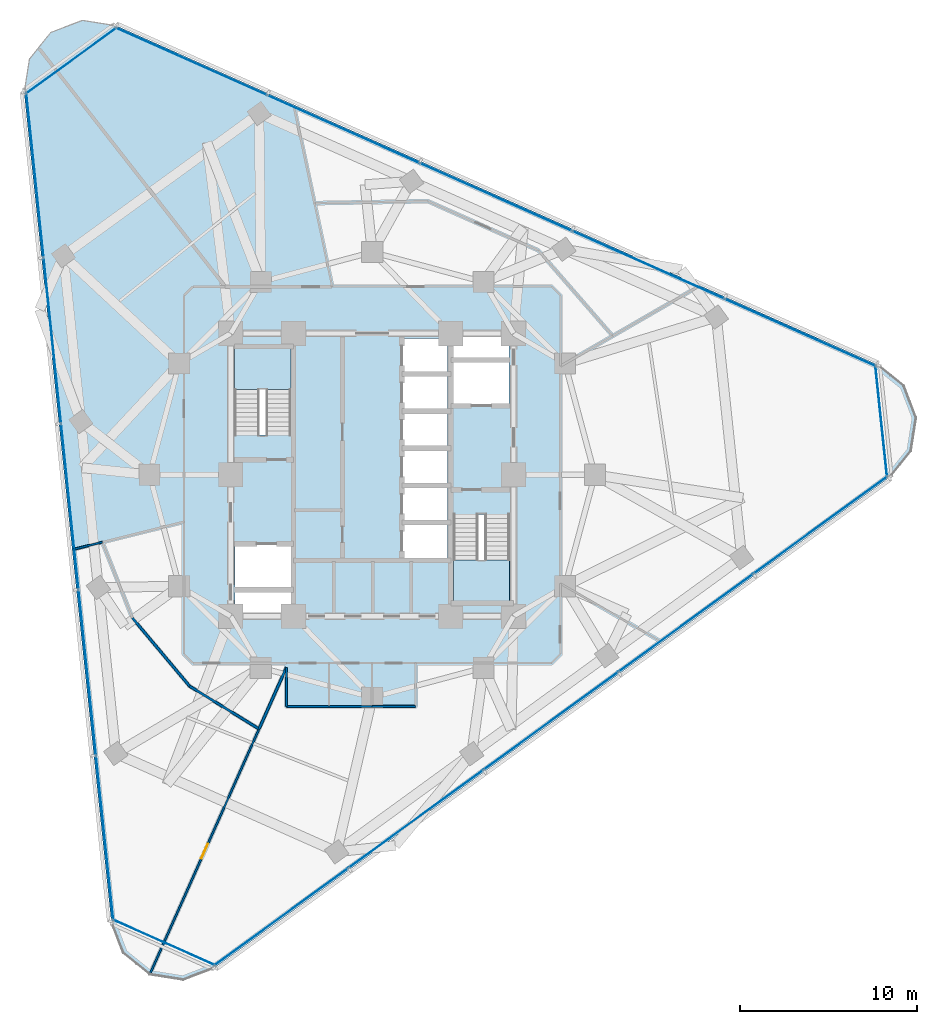
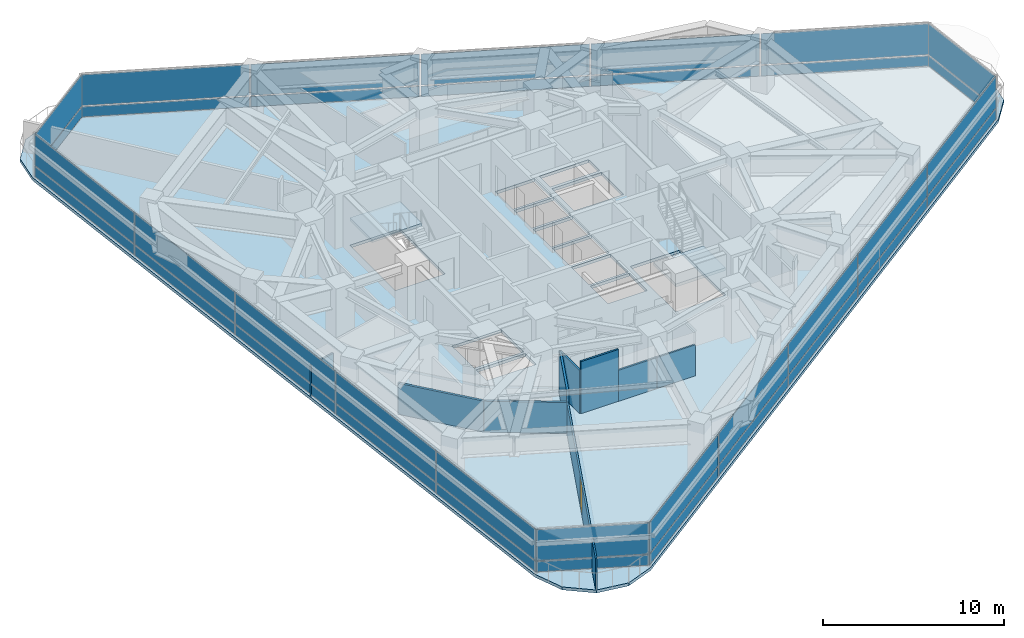
# One storey, part 7 of 14: 36 plates, 9 walls, 3 slabs, 1 door, 1 opening, 8 elements without a shape of their own.
"""IFC4 building model written with IfcOpenShell, lengths in metres."""

from ifc_helpers import new_model, si_unit, direction, frame, frame_2d, origin, origin_2d, place, context, subcontext, project, spatial, polyline, rectangle, outline, extrude, material, layer, layer_set, type_object, element, fill, aggregate, save


model = new_model("IFC4")

# Units and contexts
model_context = context("Model", 3, precision=1e-05, world=origin(), true_north=direction((0.0, 1.0)))
body_context = subcontext(model_context, "Body", "Model", "MODEL_VIEW")
ifc_project = project(units=[si_unit("LENGTHUNIT", "METRE"), si_unit("AREAUNIT", "SQUARE_METRE"), si_unit("VOLUMEUNIT", "CUBIC_METRE"), si_unit("PLANEANGLEUNIT", "RADIAN"), si_unit("MASSUNIT", "GRAM", prefix="KILO")], contexts=[model_context])

# Site, building, storey
site_placement = place(None, origin())
site = spatial("IfcSite", under=ifc_project, at=site_placement, CompositionType="ELEMENT")
building_placement = place(site_placement, origin())
building = spatial("IfcBuilding", under=site, at=building_placement, Name="Terralouvre Media Tower", CompositionType="ELEMENT")
storey_placement = place(building_placement, frame((0.0, 0.0, 180.5)))
storey = spatial("IfcBuildingStorey", under=building, at=storey_placement, Name="L46", CompositionType="ELEMENT", Elevation=180.5)

# Slab
ifc_material_1 = material(Name="Concrete C40/50", Category="concrete")
ifc_layer_1 = layer(ifc_material_1, 0.199951171875, Name="Composite Tower Floor Slab S-TYP200")
ifc_layer_set_1 = layer_set([ifc_layer_1], Name="Concrete C40/50")
slab_type_1 = type_object("IfcSlabType", Name="Composite Tower Floor Slab S-TYP200", PredefinedType="FLOOR", material=ifc_layer_set_1)
slab_1_placement = place(storey_placement, frame((0.0, 0.0, -0.199951171875), z_axis=(0.0, 0.0, 1.0), x_axis=(0.809016994375, 0.587785252292, 0.0)))
element("IfcSlab", 1, at=slab_1_placement, inside=storey, type_object=slab_type_1, Name="L46 Structural Floor Slab", PredefinedType="FLOOR", context=body_context, shape_type="SweptSolid", body=[
    extrude(outline(polyline([(-26.80419921875, -11.775390625), (-27.300048828125, -13.62548828125), (-26.80419921875, -15.475341796875), (-25.449951171875, -16.829833984375), (-23.60009765625, -17.325439453125), (23.60009765625, -17.325439453125), (25.449951171875, -16.829833984375), (26.80419921875, -15.4755859375), (27.300048828125, -13.62548828125), (26.80419921875, -11.775390625), (3.204345703125, 29.100830078125), (1.85009765625, 30.455322265625), (0.0, 30.950927734375), (-1.85009765625, 30.455322265625), (-3.204345703125, 29.100830078125), (-26.80419921875, -11.775390625)]), holes=[polyline([(-7.600830078125, -2.6357421875), (-8.30615234375, -3.6064453125), (-10.8544921875, -1.7548828125), (-10.149169921875, -0.7841796875), (-7.600830078125, -2.6357421875)]), polyline([(-7.4833984375, -2.473876953125), (-10.03173828125, -0.622314453125), (-8.591552734375, 1.359619140625), (-6.043212890625, -0.49169921875), (-7.4833984375, -2.473876953125)]), polyline([(4.366943359375, -1.2197265625), (2.344482421875, 0.24951171875), (3.48486328125, 1.819091796875), (5.50732421875, 0.349609375), (4.366943359375, -1.2197265625)]), polyline([(6.74169921875, 2.048583984375), (5.601318359375, 0.47900390625), (3.578857421875, 1.948486328125), (4.71923828125, 3.51806640625), (6.74169921875, 2.048583984375)]), polyline([(-2.40185546875, 4.52001953125), (-4.974609375, 6.38916015625), (-2.02685546875, 10.446533203125), (0.5458984375, 8.577392578125), (-2.40185546875, 4.52001953125)]), polyline([(6.835693359375, 2.177978515625), (4.813232421875, 3.6474609375), (5.953369140625, 5.217041015625), (7.97607421875, 3.74755859375), (6.835693359375, 2.177978515625)]), polyline([(-0.5458984375, -8.577392578125), (2.40185546875, -4.52001953125), (4.974609375, -6.38916015625), (2.02685546875, -10.446533203125), (-0.5458984375, -8.577392578125)]), polyline([(0.6640625, -6.316650390625), (-1.358642578125, -4.84716796875), (-0.21826171875, -3.277587890625), (1.80419921875, -4.7470703125), (0.6640625, -6.316650390625)]), polyline([(1.8984375, -4.61767578125), (-0.124267578125, -3.148193359375), (1.01611328125, -1.578857421875), (3.03857421875, -3.04833984375), (1.8984375, -4.61767578125)]), polyline([(4.27294921875, -1.349365234375), (3.132568359375, -2.918701171875), (1.110107421875, -1.44921875), (2.25048828125, 0.1201171875), (4.27294921875, -1.349365234375)]), polyline([(8.591552734375, -1.359619140625), (6.043212890625, 0.49169921875), (7.4833984375, 2.473876953125), (10.03173828125, 0.622314453125), (8.591552734375, -1.359619140625)]), polyline([(10.149169921875, 0.7841796875), (7.600830078125, 2.6357421875), (8.30615234375, 3.6064453125), (10.8544921875, 1.7548828125), (10.149169921875, 0.7841796875)])]), origin(), (0.0, 0.0, 1.0), 0.199951171875),
])

# Stair, slab
ifc_material_2 = material(Name="Concrete C45/55", Category="concrete")
stair_type_1 = type_object("IfcStairType", Name="Dogleg Stair Assembly ST-01", PredefinedType="HALF_TURN_STAIR", material=ifc_material_2)
stair_1_placement = place(storey_placement, origin())
stair_1 = element("IfcStair", 2, at=stair_1_placement, inside=storey, type_object=stair_type_1, Name="L46 Core Pressurised Exit Stair ST-01", PredefinedType="HALF_TURN_STAIR")
ifc_material_3 = material(Name="Concrete C45/55", Category="concrete")
ifc_layer_2 = layer(ifc_material_3, 0.199951171875, Name="Reinforced Concrete Stair Half-Landing SL-LD1")
ifc_layer_set_2 = layer_set([ifc_layer_2], Name="Concrete C45/55")
slab_type_2 = type_object("IfcSlabType", Name="Reinforced Concrete Stair Half-Landing SL-LD1", PredefinedType="LANDING", material=ifc_layer_set_2)
slab_2_placement = place(storey_placement, frame((0.0, 0.0, 1.64990234375)))
slab_2 = element("IfcSlab", 3, at=slab_2_placement, type_object=slab_type_2, Name="ST-01 landing 1", PredefinedType="LANDING", context=body_context, shape_type="SweptSolid", body=[
    extrude(outline(polyline([(-4.60009765625, 4.820068359375), (-4.60009765625, 7.260009765625), (-7.780029296875, 7.260009765625), (-7.780029296875, 4.820068359375), (-4.60009765625, 4.820068359375)])), origin(), (0.0, 0.0, 1.0), 0.2001953125),
])
aggregate(stair_1, [slab_2])

ifc_material_4 = material(Name="Concrete C45/55", Category="concrete")
stair_type_2 = type_object("IfcStairType", Name="Dogleg Stair Assembly ST-02", PredefinedType="HALF_TURN_STAIR", material=ifc_material_4)
stair_2_placement = place(storey_placement, origin())
stair_2 = element("IfcStair", 4, at=stair_2_placement, inside=storey, type_object=stair_type_2, Name="L46 Core Pressurised Exit Stair ST-02", PredefinedType="HALF_TURN_STAIR")
slab_3_placement = place(storey_placement, frame((0.0, 0.0, 1.64990234375)))
slab_3 = element("IfcSlab", 5, at=slab_3_placement, type_object=slab_type_2, Name="ST-02 landing 1", PredefinedType="LANDING", context=body_context, shape_type="SweptSolid", body=[
    extrude(outline(polyline([(4.60009765625, -4.820068359375), (4.60009765625, -7.260009765625), (7.780029296875, -7.260009765625), (7.780029296875, -4.820068359375), (4.60009765625, -4.820068359375)])), origin(), (0.0, 0.0, 1.0), 0.2001953125),
])
aggregate(stair_2, [slab_3])

# Curtain wall, plates
ifc_material_5 = material(Name="Low-iron laminated double glazing with solar-control coating", Category="glass")
ifc_layer_3 = layer(ifc_material_5, 0.1650390625, Name="Rounded Wind-Corner Curved Glazing CW-04")
ifc_layer_set_3 = layer_set([ifc_layer_3], Name="Low-iron laminated double glazing with solar-control coating")
curtain_wall_type_1 = type_object("IfcCurtainWallType", Name="Rounded Wind-Corner Curved Glazing CW-04", PredefinedType="NOTDEFINED", material=ifc_layer_set_3)
curtain_wall_1_placement = place(storey_placement, origin())
curtain_wall_1 = element("IfcCurtainWall", 6, at=curtain_wall_1_placement, inside=storey, type_object=curtain_wall_type_1, Name="L46 Rounded Wind-Corner Curtain Wall C0", PredefinedType="NOTDEFINED")
ifc_material_6 = material(Name="Low-iron laminated double glazing with solar-control coating", Category="glass")
ifc_layer_4 = layer(ifc_material_6, 0.0400390625, Name="Rounded Corner Laminated Vision Panel CWP-03")
ifc_layer_set_4 = layer_set([ifc_layer_4], Name="Low-iron laminated double glazing with solar-control coating")
plate_type_1 = type_object("IfcPlateType", Name="Rounded Corner Laminated Vision Panel CWP-03", PredefinedType="CURTAIN_PANEL", material=ifc_layer_set_4)
plate_1_placement = place(storey_placement, frame((-11.779541015625, -26.45703125, 0.074951171875), z_axis=(0.0, 0.0, 1.0), x_axis=(0.913545408199, -0.406736754128, 0.0)))
plate_1 = element("IfcPlate", 7, at=plate_1_placement, type_object=plate_type_1, Name="CW-04 panel 1.1", PredefinedType="CURTAIN_PANEL", context=body_context, shape_type="SweptSolid", body=[
    extrude(rectangle(XDim=6.258544921875, YDim=0.035888671875, at=origin_2d()), origin(), (0.0, 0.0, 1.0), 0.6875),
])
plate_2_placement = place(storey_placement, frame((-11.779541015625, -26.45703125, 0.837646484375), z_axis=(0.0, 0.0, 1.0), x_axis=(0.913545408199, -0.406736754128, 0.0)))
plate_2 = element("IfcPlate", 8, at=plate_2_placement, type_object=plate_type_1, Name="CW-04 panel 1.2", PredefinedType="CURTAIN_PANEL", context=body_context, shape_type="SweptSolid", body=[
    extrude(rectangle(XDim=6.258544921875, YDim=0.035888671875, at=origin_2d()), origin(), (0.0, 0.0, 1.0), 2.08740234375),
])
aggregate(curtain_wall_1, [plate_1, plate_2])

curtain_wall_2_placement = place(storey_placement, origin())
curtain_wall_2 = element("IfcCurtainWall", 9, at=curtain_wall_2_placement, inside=storey, type_object=curtain_wall_type_1, Name="L46 Rounded Wind-Corner Curtain Wall C1", PredefinedType="NOTDEFINED")
plate_3_placement = place(storey_placement, frame((28.80224609375, 3.02734375, 0.074951171875), z_axis=(0.0, 0.0, 1.0), x_axis=(-0.10452850319, 0.994521891172, 0.0)))
plate_3 = element("IfcPlate", 10, at=plate_3_placement, type_object=plate_type_1, Name="CW-04 panel 1.1", PredefinedType="CURTAIN_PANEL", context=body_context, shape_type="SweptSolid", body=[
    extrude(rectangle(XDim=6.258544921875, YDim=0.035888671875, at=origin_2d()), origin(), (0.0, 0.0, 1.0), 0.6875),
])
plate_4_placement = place(storey_placement, frame((28.80224609375, 3.02734375, 0.837646484375), z_axis=(0.0, 0.0, 1.0), x_axis=(-0.10452850319, 0.994521891172, 0.0)))
plate_4 = element("IfcPlate", 11, at=plate_4_placement, type_object=plate_type_1, Name="CW-04 panel 1.2", PredefinedType="CURTAIN_PANEL", context=body_context, shape_type="SweptSolid", body=[
    extrude(rectangle(XDim=6.258544921875, YDim=0.035888671875, at=origin_2d()), origin(), (0.0, 0.0, 1.0), 2.08740234375),
])
aggregate(curtain_wall_2, [plate_3, plate_4])

curtain_wall_3_placement = place(storey_placement, origin())
curtain_wall_3 = element("IfcCurtainWall", 12, at=curtain_wall_3_placement, inside=storey, type_object=curtain_wall_type_1, Name="L46 Rounded Wind-Corner Curtain Wall C2", PredefinedType="NOTDEFINED")
plate_5_placement = place(storey_placement, frame((-17.022705078125, 23.429931640625, 0.074951171875), z_axis=(0.0, 0.0, 1.0), x_axis=(-0.809017438344, -0.587784641221, 0.0)))
plate_5 = element("IfcPlate", 13, at=plate_5_placement, type_object=plate_type_1, Name="CW-04 panel 1.1", PredefinedType="CURTAIN_PANEL", context=body_context, shape_type="SweptSolid", body=[
    extrude(rectangle(XDim=6.258544921875, YDim=0.035888671875, at=origin_2d()), origin(), (0.0, 0.0, 1.0), 0.6875),
])
plate_6_placement = place(storey_placement, frame((-17.022705078125, 23.429931640625, 0.837646484375), z_axis=(0.0, 0.0, 1.0), x_axis=(-0.809017438344, -0.587784641221, 0.0)))
plate_6 = element("IfcPlate", 14, at=plate_6_placement, type_object=plate_type_1, Name="CW-04 panel 1.2", PredefinedType="CURTAIN_PANEL", context=body_context, shape_type="SweptSolid", body=[
    extrude(rectangle(XDim=6.258544921875, YDim=0.035888671875, at=origin_2d()), origin(), (0.0, 0.0, 1.0), 2.08740234375),
])
aggregate(curtain_wall_3, [plate_5, plate_6])

ifc_material_7 = material(Name="Low-iron laminated double glazing with solar-control coating", Category="glass")
ifc_layer_5 = layer(ifc_material_7, 0.1650390625, Name="Production Studio Tower Curtain Wall CW-03")
ifc_layer_set_5 = layer_set([ifc_layer_5], Name="Low-iron laminated double glazing with solar-control coating")
curtain_wall_type_2 = type_object("IfcCurtainWallType", Name="Production Studio Tower Curtain Wall CW-03", PredefinedType="NOTDEFINED", material=ifc_layer_set_5)
curtain_wall_4_placement = place(storey_placement, origin())
curtain_wall_4 = element("IfcCurtainWall", 15, at=curtain_wall_4_placement, inside=storey, type_object=curtain_wall_type_2, Name="L46 Facade Curtain Wall F0", PredefinedType="NOTDEFINED")
ifc_material_8 = material(Name="Low-iron laminated double glazing with solar-control coating", Category="glass")
ifc_layer_6 = layer(ifc_material_8, 0.035888671875, Name="Vision Double-Glazed Unit CWP-01")
ifc_layer_set_6 = layer_set([ifc_layer_6], Name="Low-iron laminated double glazing with solar-control coating")
plate_type_2 = type_object("IfcPlateType", Name="Vision Double-Glazed Unit CWP-01", PredefinedType="CURTAIN_PANEL", material=ifc_layer_set_6)
plate_7_placement = place(storey_placement, frame((-5.14599609375, -25.005859375, 0.074951171875), z_axis=(0.0, 0.0, 1.0), x_axis=(0.809016917383, 0.587785358263, 0.0)))
plate_7 = element("IfcPlate", 16, at=plate_7_placement, type_object=plate_type_2, Name="CW-03 panel 1.1", PredefinedType="CURTAIN_PANEL", context=body_context, shape_type="SweptSolid", body=[
    extrude(rectangle(XDim=9.327392578125, YDim=0.035888671875, at=origin_2d()), origin(), (0.0, 0.0, 1.0), 0.6875),
])
plate_8_placement = place(storey_placement, frame((-5.14599609375, -25.005859375, 0.837646484375), z_axis=(0.0, 0.0, 1.0), x_axis=(0.809016917383, 0.587785358263, 0.0)))
plate_8 = element("IfcPlate", 17, at=plate_8_placement, type_object=plate_type_2, Name="CW-03 panel 1.2", PredefinedType="CURTAIN_PANEL", context=body_context, shape_type="SweptSolid", body=[
    extrude(rectangle(XDim=9.327392578125, YDim=0.035888671875, at=origin_2d()), origin(), (0.0, 0.0, 1.0), 2.08740234375),
])
plate_9_placement = place(storey_placement, frame((2.47607421875, -19.46826171875, 0.074951171875), z_axis=(0.0, 0.0, 1.0), x_axis=(0.809016917383, 0.587785358263, 0.0)))
plate_9 = element("IfcPlate", 18, at=plate_9_placement, type_object=plate_type_2, Name="CW-03 panel 2.1", PredefinedType="CURTAIN_PANEL", context=body_context, shape_type="SweptSolid", body=[
    extrude(rectangle(XDim=9.364990234375, YDim=0.035888671875, at=origin_2d()), origin(), (0.0, 0.0, 1.0), 0.6875),
])
plate_10_placement = place(storey_placement, frame((2.47607421875, -19.46826171875, 0.837646484375), z_axis=(0.0, 0.0, 1.0), x_axis=(0.809016917383, 0.587785358263, 0.0)))
plate_10 = element("IfcPlate", 19, at=plate_10_placement, type_object=plate_type_2, Name="CW-03 panel 2.2", PredefinedType="CURTAIN_PANEL", context=body_context, shape_type="SweptSolid", body=[
    extrude(rectangle(XDim=9.364990234375, YDim=0.035888671875, at=origin_2d()), origin(), (0.0, 0.0, 1.0), 2.08740234375),
])
plate_11_placement = place(storey_placement, frame((10.113037109375, -13.91943359375, 0.074951171875), z_axis=(0.0, 0.0, 1.0), x_axis=(0.809016917383, 0.587785358263, 0.0)))
plate_11 = element("IfcPlate", 20, at=plate_11_placement, type_object=plate_type_2, Name="CW-03 panel 3.1", PredefinedType="CURTAIN_PANEL", context=body_context, shape_type="SweptSolid", body=[
    extrude(rectangle(XDim=9.364990234375, YDim=0.035888671875, at=origin_2d()), origin(), (0.0, 0.0, 1.0), 0.6875),
])
plate_12_placement = place(storey_placement, frame((10.113037109375, -13.91943359375, 0.837646484375), z_axis=(0.0, 0.0, 1.0), x_axis=(0.809016917383, 0.587785358263, 0.0)))
plate_12 = element("IfcPlate", 21, at=plate_12_placement, type_object=plate_type_2, Name="CW-03 panel 3.2", PredefinedType="CURTAIN_PANEL", context=body_context, shape_type="SweptSolid", body=[
    extrude(rectangle(XDim=9.364990234375, YDim=0.035888671875, at=origin_2d()), origin(), (0.0, 0.0, 1.0), 2.08740234375),
])
plate_13_placement = place(storey_placement, frame((17.750244140625, -8.370849609375, 0.074951171875), z_axis=(0.0, 0.0, 1.0), x_axis=(0.809016917383, 0.587785358263, 0.0)))
plate_13 = element("IfcPlate", 22, at=plate_13_placement, type_object=plate_type_2, Name="CW-03 panel 4.1", PredefinedType="CURTAIN_PANEL", context=body_context, shape_type="SweptSolid", body=[
    extrude(rectangle(XDim=9.364990234375, YDim=0.035888671875, at=origin_2d()), origin(), (0.0, 0.0, 1.0), 0.6875),
])
plate_14_placement = place(storey_placement, frame((17.750244140625, -8.370849609375, 0.837646484375), z_axis=(0.0, 0.0, 1.0), x_axis=(0.809016917383, 0.587785358263, 0.0)))
plate_14 = element("IfcPlate", 23, at=plate_14_placement, type_object=plate_type_2, Name="CW-03 panel 4.2", PredefinedType="CURTAIN_PANEL", context=body_context, shape_type="SweptSolid", body=[
    extrude(rectangle(XDim=9.364990234375, YDim=0.035888671875, at=origin_2d()), origin(), (0.0, 0.0, 1.0), 2.08740234375),
])
plate_15_placement = place(storey_placement, frame((25.3720703125, -2.833251953125, 0.074951171875), z_axis=(0.0, 0.0, 1.0), x_axis=(0.809016917383, 0.587785358263, 0.0)))
plate_15 = element("IfcPlate", 24, at=plate_15_placement, type_object=plate_type_2, Name="CW-03 panel 5.1", PredefinedType="CURTAIN_PANEL", context=body_context, shape_type="SweptSolid", body=[
    extrude(rectangle(XDim=9.327392578125, YDim=0.035888671875, at=origin_2d()), origin(), (0.0, 0.0, 1.0), 0.6875),
])
plate_16_placement = place(storey_placement, frame((25.3720703125, -2.833251953125, 0.837646484375), z_axis=(0.0, 0.0, 1.0), x_axis=(0.809016917383, 0.587785358263, 0.0)))
plate_16 = element("IfcPlate", 25, at=plate_16_placement, type_object=plate_type_2, Name="CW-03 panel 5.2", PredefinedType="CURTAIN_PANEL", context=body_context, shape_type="SweptSolid", body=[
    extrude(rectangle(XDim=9.327392578125, YDim=0.035888671875, at=origin_2d()), origin(), (0.0, 0.0, 1.0), 2.08740234375),
])
aggregate(curtain_wall_4, [plate_7, plate_8, plate_9, plate_10, plate_11, plate_12, plate_13, plate_14, plate_15, plate_16])

curtain_wall_5_placement = place(storey_placement, origin())
curtain_wall_5 = element("IfcCurtainWall", 26, at=curtain_wall_5_placement, inside=storey, type_object=curtain_wall_type_2, Name="L46 Facade Curtain Wall F1", PredefinedType="NOTDEFINED")
plate_17_placement = place(storey_placement, frame((24.228759765625, 8.04638671875, 0.074951171875), z_axis=(0.0, 0.0, 1.0), x_axis=(-0.913545469547, 0.406736616337, 0.0)))
plate_17 = element("IfcPlate", 27, at=plate_17_placement, type_object=plate_type_2, Name="CW-03 panel 1.1", PredefinedType="CURTAIN_PANEL", context=body_context, shape_type="SweptSolid", body=[
    extrude(rectangle(XDim=9.327392578125, YDim=0.035888671875, at=origin_2d()), origin(), (0.0, 0.0, 1.0), 0.6875),
])
plate_18_placement = place(storey_placement, frame((24.228759765625, 8.04638671875, 0.837646484375), z_axis=(0.0, 0.0, 1.0), x_axis=(-0.913545469547, 0.406736616337, 0.0)))
plate_18 = element("IfcPlate", 28, at=plate_18_placement, type_object=plate_type_2, Name="CW-03 panel 1.2", PredefinedType="CURTAIN_PANEL", context=body_context, shape_type="SweptSolid", body=[
    extrude(rectangle(XDim=9.327392578125, YDim=0.035888671875, at=origin_2d()), origin(), (0.0, 0.0, 1.0), 2.08740234375),
])
plate_19_placement = place(storey_placement, frame((15.6220703125, 11.87841796875, 0.074951171875), z_axis=(0.0, 0.0, 1.0), x_axis=(-0.913545469547, 0.406736616337, 0.0)))
plate_19 = element("IfcPlate", 29, at=plate_19_placement, type_object=plate_type_2, Name="CW-03 panel 2.1", PredefinedType="CURTAIN_PANEL", context=body_context, shape_type="SweptSolid", body=[
    extrude(rectangle(XDim=9.364990234375, YDim=0.035888671875, at=origin_2d()), origin(), (0.0, 0.0, 1.0), 0.6875),
])
plate_20_placement = place(storey_placement, frame((15.6220703125, 11.87841796875, 0.837646484375), z_axis=(0.0, 0.0, 1.0), x_axis=(-0.913545469547, 0.406736616337, 0.0)))
plate_20 = element("IfcPlate", 30, at=plate_20_placement, type_object=plate_type_2, Name="CW-03 panel 2.2", PredefinedType="CURTAIN_PANEL", context=body_context, shape_type="SweptSolid", body=[
    extrude(rectangle(XDim=9.364990234375, YDim=0.035888671875, at=origin_2d()), origin(), (0.0, 0.0, 1.0), 2.08740234375),
])
plate_21_placement = place(storey_placement, frame((6.998046875, 15.718017578125, 0.074951171875), z_axis=(0.0, 0.0, 1.0), x_axis=(-0.913545469547, 0.406736616337, 0.0)))
plate_21 = element("IfcPlate", 31, at=plate_21_placement, type_object=plate_type_2, Name="CW-03 panel 3.1", PredefinedType="CURTAIN_PANEL", context=body_context, shape_type="SweptSolid", body=[
    extrude(rectangle(XDim=9.364990234375, YDim=0.035888671875, at=origin_2d()), origin(), (0.0, 0.0, 1.0), 0.6875),
])
plate_22_placement = place(storey_placement, frame((6.998046875, 15.718017578125, 0.837646484375), z_axis=(0.0, 0.0, 1.0), x_axis=(-0.913545469547, 0.406736616337, 0.0)))
plate_22 = element("IfcPlate", 32, at=plate_22_placement, type_object=plate_type_2, Name="CW-03 panel 3.2", PredefinedType="CURTAIN_PANEL", context=body_context, shape_type="SweptSolid", body=[
    extrude(rectangle(XDim=9.364990234375, YDim=0.035888671875, at=origin_2d()), origin(), (0.0, 0.0, 1.0), 2.08740234375),
])
plate_23_placement = place(storey_placement, frame((-1.625732421875, 19.5576171875, 0.074951171875), z_axis=(0.0, 0.0, 1.0), x_axis=(-0.913545469547, 0.406736616337, 0.0)))
plate_23 = element("IfcPlate", 33, at=plate_23_placement, type_object=plate_type_2, Name="CW-03 panel 4.1", PredefinedType="CURTAIN_PANEL", context=body_context, shape_type="SweptSolid", body=[
    extrude(rectangle(XDim=9.364990234375, YDim=0.035888671875, at=origin_2d()), origin(), (0.0, 0.0, 1.0), 0.6875),
])
plate_24_placement = place(storey_placement, frame((-1.625732421875, 19.5576171875, 0.837646484375), z_axis=(0.0, 0.0, 1.0), x_axis=(-0.913545469547, 0.406736616337, 0.0)))
plate_24 = element("IfcPlate", 34, at=plate_24_placement, type_object=plate_type_2, Name="CW-03 panel 4.2", PredefinedType="CURTAIN_PANEL", context=body_context, shape_type="SweptSolid", body=[
    extrude(rectangle(XDim=9.364990234375, YDim=0.035888671875, at=origin_2d()), origin(), (0.0, 0.0, 1.0), 2.08740234375),
])
plate_25_placement = place(storey_placement, frame((-10.232421875, 23.3896484375, 0.074951171875), z_axis=(0.0, 0.0, 1.0), x_axis=(-0.913545469547, 0.406736616337, 0.0)))
plate_25 = element("IfcPlate", 35, at=plate_25_placement, type_object=plate_type_2, Name="CW-03 panel 5.1", PredefinedType="CURTAIN_PANEL", context=body_context, shape_type="SweptSolid", body=[
    extrude(rectangle(XDim=9.327392578125, YDim=0.035888671875, at=origin_2d()), origin(), (0.0, 0.0, 1.0), 0.6875),
])
plate_26_placement = place(storey_placement, frame((-10.232421875, 23.3896484375, 0.837646484375), z_axis=(0.0, 0.0, 1.0), x_axis=(-0.913545469547, 0.406736616337, 0.0)))
plate_26 = element("IfcPlate", 36, at=plate_26_placement, type_object=plate_type_2, Name="CW-03 panel 5.2", PredefinedType="CURTAIN_PANEL", context=body_context, shape_type="SweptSolid", body=[
    extrude(rectangle(XDim=9.327392578125, YDim=0.035888671875, at=origin_2d()), origin(), (0.0, 0.0, 1.0), 2.08740234375),
])
aggregate(curtain_wall_5, [plate_17, plate_18, plate_19, plate_20, plate_21, plate_22, plate_23, plate_24, plate_25, plate_26])

curtain_wall_6_placement = place(storey_placement, origin())
curtain_wall_6 = element("IfcCurtainWall", 37, at=curtain_wall_6_placement, inside=storey, type_object=curtain_wall_type_2, Name="L46 Facade Curtain Wall F2", PredefinedType="NOTDEFINED")
plate_27_placement = place(storey_placement, frame((-19.082763671875, 16.95947265625, 0.074951171875), z_axis=(0.0, 0.0, 1.0), x_axis=(0.104528376236, -0.994521904516, 0.0)))
plate_27 = element("IfcPlate", 38, at=plate_27_placement, type_object=plate_type_2, Name="CW-03 panel 1.1", PredefinedType="CURTAIN_PANEL", context=body_context, shape_type="SweptSolid", body=[
    extrude(rectangle(XDim=9.327392578125, YDim=0.035888671875, at=origin_2d()), origin(), (0.0, 0.0, 1.0), 0.6875),
])
plate_28_placement = place(storey_placement, frame((-19.082763671875, 16.95947265625, 0.837646484375), z_axis=(0.0, 0.0, 1.0), x_axis=(0.104528376236, -0.994521904516, 0.0)))
plate_28 = element("IfcPlate", 39, at=plate_28_placement, type_object=plate_type_2, Name="CW-03 panel 1.2", PredefinedType="CURTAIN_PANEL", context=body_context, shape_type="SweptSolid", body=[
    extrude(rectangle(XDim=9.327392578125, YDim=0.035888671875, at=origin_2d()), origin(), (0.0, 0.0, 1.0), 2.08740234375),
])
plate_29_placement = place(storey_placement, frame((-18.097900390625, 7.58984375, 0.074951171875), z_axis=(0.0, 0.0, 1.0), x_axis=(0.104528376236, -0.994521904516, 0.0)))
plate_29 = element("IfcPlate", 40, at=plate_29_placement, type_object=plate_type_2, Name="CW-03 panel 2.1", PredefinedType="CURTAIN_PANEL", context=body_context, shape_type="SweptSolid", body=[
    extrude(rectangle(XDim=9.364990234375, YDim=0.035888671875, at=origin_2d()), origin(), (0.0, 0.0, 1.0), 0.6875),
])
plate_30_placement = place(storey_placement, frame((-18.097900390625, 7.58984375, 0.837646484375), z_axis=(0.0, 0.0, 1.0), x_axis=(0.104528376236, -0.994521904516, 0.0)))
plate_30 = element("IfcPlate", 41, at=plate_30_placement, type_object=plate_type_2, Name="CW-03 panel 2.2", PredefinedType="CURTAIN_PANEL", context=body_context, shape_type="SweptSolid", body=[
    extrude(rectangle(XDim=9.364990234375, YDim=0.035888671875, at=origin_2d()), origin(), (0.0, 0.0, 1.0), 2.08740234375),
])
plate_31_placement = place(storey_placement, frame((-17.111328125, -1.79833984375, 0.074951171875), z_axis=(0.0, 0.0, 1.0), x_axis=(0.104528376236, -0.994521904516, 0.0)))
plate_31 = element("IfcPlate", 42, at=plate_31_placement, type_object=plate_type_2, Name="CW-03 panel 3.1", PredefinedType="CURTAIN_PANEL", context=body_context, shape_type="SweptSolid", body=[
    extrude(rectangle(XDim=9.364990234375, YDim=0.035888671875, at=origin_2d()), origin(), (0.0, 0.0, 1.0), 0.6875),
])
plate_32_placement = place(storey_placement, frame((-17.111328125, -1.79833984375, 0.837646484375), z_axis=(0.0, 0.0, 1.0), x_axis=(0.104528376236, -0.994521904516, 0.0)))
plate_32 = element("IfcPlate", 43, at=plate_32_placement, type_object=plate_type_2, Name="CW-03 panel 3.2", PredefinedType="CURTAIN_PANEL", context=body_context, shape_type="SweptSolid", body=[
    extrude(rectangle(XDim=9.364990234375, YDim=0.035888671875, at=origin_2d()), origin(), (0.0, 0.0, 1.0), 2.08740234375),
])
plate_33_placement = place(storey_placement, frame((-16.12451171875, -11.186767578125, 0.074951171875), z_axis=(0.0, 0.0, 1.0), x_axis=(0.104528376236, -0.994521904516, 0.0)))
plate_33 = element("IfcPlate", 44, at=plate_33_placement, type_object=plate_type_2, Name="CW-03 panel 4.1", PredefinedType="CURTAIN_PANEL", context=body_context, shape_type="SweptSolid", body=[
    extrude(rectangle(XDim=9.364990234375, YDim=0.035888671875, at=origin_2d()), origin(), (0.0, 0.0, 1.0), 0.6875),
])
plate_34_placement = place(storey_placement, frame((-16.12451171875, -11.186767578125, 0.837646484375), z_axis=(0.0, 0.0, 1.0), x_axis=(0.104528376236, -0.994521904516, 0.0)))
plate_34 = element("IfcPlate", 45, at=plate_34_placement, type_object=plate_type_2, Name="CW-03 panel 4.2", PredefinedType="CURTAIN_PANEL", context=body_context, shape_type="SweptSolid", body=[
    extrude(rectangle(XDim=9.364990234375, YDim=0.035888671875, at=origin_2d()), origin(), (0.0, 0.0, 1.0), 2.08740234375),
])
plate_35_placement = place(storey_placement, frame((-15.1396484375, -20.556396484375, 0.074951171875), z_axis=(0.0, 0.0, 1.0), x_axis=(0.104528376236, -0.994521904516, 0.0)))
plate_35 = element("IfcPlate", 46, at=plate_35_placement, type_object=plate_type_2, Name="CW-03 panel 5.1", PredefinedType="CURTAIN_PANEL", context=body_context, shape_type="SweptSolid", body=[
    extrude(rectangle(XDim=9.327392578125, YDim=0.035888671875, at=origin_2d()), origin(), (0.0, 0.0, 1.0), 0.6875),
])
plate_36_placement = place(storey_placement, frame((-15.1396484375, -20.556396484375, 0.837646484375), z_axis=(0.0, 0.0, 1.0), x_axis=(0.104528376236, -0.994521904516, 0.0)))
plate_36 = element("IfcPlate", 47, at=plate_36_placement, type_object=plate_type_2, Name="CW-03 panel 5.2", PredefinedType="CURTAIN_PANEL", context=body_context, shape_type="SweptSolid", body=[
    extrude(rectangle(XDim=9.327392578125, YDim=0.035888671875, at=origin_2d()), origin(), (0.0, 0.0, 1.0), 2.08740234375),
])
aggregate(curtain_wall_6, [plate_27, plate_28, plate_29, plate_30, plate_31, plate_32, plate_33, plate_34, plate_35, plate_36])

# Wall, opening, door
ifc_material_9 = material(Name="Low-iron laminated double glazing with solar-control coating", Category="glass")
ifc_layer_7 = layer(ifc_material_9, 0.10009765625, Name="Demountable Glazed Office Partition PT-GL100")
ifc_layer_set_7 = layer_set([ifc_layer_7], Name="Low-iron laminated double glazing with solar-control coating")
wall_type_1 = type_object("IfcWallType", Name="Demountable Glazed Office Partition PT-GL100", PredefinedType="MOVABLE", material=ifc_layer_set_7)
wall_1_placement = place(storey_placement, frame((-12.5546875, -28.199462890625, 0.0), z_axis=(0.0, 0.0, 1.0), x_axis=(0.406672919663, 0.913573826471, 0.0)))
wall_1 = element("IfcWall", 48, at=wall_1_placement, inside=storey, type_object=wall_type_1, Name="L46 Interior Partition 023", PredefinedType="MOVABLE", context=body_context, shape_type="SweptSolid", body=[
    extrude(rectangle(XDim=15.129150390625, YDim=0.10009765625, at=frame_2d((7.564453125, 0.0))), origin(), (0.0, 0.0, 1.0), 2.0849609375),
])
opening_placement = place(wall_1_placement, frame((7.1044921875, 0.0, 0.0)))
opening = element("IfcOpeningElement", 49, at=opening_placement, cuts=wall_1, Name="Opening ID-03-92X206", PredefinedType="OPENING", context=body_context, shape_type="SweptSolid", body=[
    extrude(rectangle(XDim=0.919921875, YDim=2.034912109375, at=frame_2d((0.4599609375, 1.017578125))), frame((0.0, 0.06005859375, 0.0), z_axis=(0.0, -1.0, 0.0), x_axis=(1.0, 0.0, 0.0)), (0.0, 0.0, 1.0), 0.1201171875),
])
ifc_material_10 = material(Name="Engineered hardwood acoustic timber leaf", Category="wood")
door_type = type_object("IfcDoorType", Name="Accessible Restroom and Suite Door ID-03 (920x2065)", OperationType="NOTDEFINED", PredefinedType="DOOR", material=ifc_material_10)
door_placement = place(opening_placement, origin())
door = element("IfcDoor", 50, at=door_placement, inside=storey, type_object=door_type, Name="L46 UX Sprint Project Conference Room 2 Door", OperationType="SINGLE_SWING_LEFT", OverallHeight=2.034912109375, OverallWidth=0.919921875, PredefinedType="DOOR", context=body_context, shape_type="SweptSolid", body=[
    extrude(rectangle(XDim=0.919921875, YDim=2.034912109375, at=frame_2d((0.4599609375, 1.017578125))), frame((0.0, 0.02490234375, 0.0), z_axis=(0.0, -1.0, 0.0), x_axis=(1.0, 0.0, 0.0)), (0.0, 0.0, 1.0), 0.050048828125),
])
fill(opening, door)

# Walls
wall_2_placement = place(storey_placement, frame((-15.27099609375, -3.80810546875, 0.0), z_axis=(0.0, 0.0, 1.0), x_axis=(-0.970407499575, -0.24147315538, 0.0)))
element("IfcWall", 51, at=wall_2_placement, inside=storey, type_object=wall_type_1, Name="L46 Interior Partition 024", PredefinedType="MOVABLE", context=body_context, shape_type="SweptSolid", body=[
    extrude(rectangle(XDim=1.67626953125, YDim=0.10009765625, at=frame_2d((0.838134765625, 0.0))), origin(), (0.0, 0.0, 1.0), 2.0849609375),
])
wall_3_placement = place(storey_placement, frame((2.449951171875, -13.10009765625, 0.0), z_axis=(0.0, 0.0, 1.0), x_axis=(-1.0, 0.0, 0.0)))
element("IfcWall", 52, at=wall_3_placement, inside=storey, type_object=wall_type_1, Name="L46 Interior Partition 031", PredefinedType="MOVABLE", context=body_context, shape_type="SweptSolid", body=[
    extrude(rectangle(XDim=2.449951171875, YDim=0.10009765625, at=frame_2d((1.22509765625, 0.0))), origin(), (0.0, 0.0, 1.0), 2.0849609375),
])
ifc_material_11 = material(Name="Fire-rated gypsum board drywall partition")
ifc_layer_8 = layer(ifc_material_11, 0.135009765625, Name="Newsroom Acoustic Partition PT-135")
ifc_layer_set_8 = layer_set([ifc_layer_8], Name="Fire-rated gypsum board drywall partition")
wall_type_2 = type_object("IfcWallType", Name="Newsroom Acoustic Partition PT-135", PredefinedType="PARTITIONING", material=ifc_layer_set_8)
wall_4_placement = place(storey_placement, frame((-13.56689453125, -8.097900390625, 0.0), z_axis=(0.0, 0.0, 1.0), x_axis=(0.642704085781, -0.766114520239, 0.0)))
element("IfcWall", 53, at=wall_4_placement, inside=storey, type_object=wall_type_2, Name="L46 Interior Partition 019", PredefinedType="PARTITIONING", context=body_context, shape_type="SweptSolid", body=[
    extrude(rectangle(XDim=5.03466796875, YDim=0.135009765625, at=frame_2d((2.517333984375, 0.0))), origin(), (0.0, 0.0, 1.0), 2.0849609375),
])
wall_5_placement = place(storey_placement, frame((-10.3310546875, -11.955078125, 0.0), z_axis=(0.0, 0.0, 1.0), x_axis=(0.851171263557, -0.524888064347, 0.0)))
element("IfcWall", 54, at=wall_5_placement, inside=storey, type_object=wall_type_2, Name="L46 Interior Partition 020", PredefinedType="PARTITIONING", context=body_context, shape_type="SweptSolid", body=[
    extrude(rectangle(XDim=4.615966796875, YDim=0.135009765625, at=frame_2d((2.30810546875, 0.0))), origin(), (0.0, 0.0, 1.0), 2.0849609375),
])
wall_6_placement = place(storey_placement, frame((-6.402099609375, -14.3779296875, 0.0), z_axis=(0.0, 0.0, 1.0), x_axis=(0.406833086098, 0.913502512343, 0.0)))
element("IfcWall", 55, at=wall_6_placement, inside=storey, type_object=wall_type_2, Name="L46 Interior Partition 021", PredefinedType="PARTITIONING", context=body_context, shape_type="SweptSolid", body=[
    extrude(rectangle(XDim=3.81494140625, YDim=0.135009765625, at=frame_2d((1.907470703125, 0.0))), origin(), (0.0, 0.0, 1.0), 2.885009765625),
])
ifc_material_12 = material(Name="Fire-rated gypsum board drywall partition")
ifc_layer_9 = layer(ifc_material_12, 0.114990234375, Name="Restroom and Pantry Partition PT-115")
ifc_layer_set_9 = layer_set([ifc_layer_9], Name="Fire-rated gypsum board drywall partition")
wall_type_3 = type_object("IfcWallType", Name="Restroom and Pantry Partition PT-115", PredefinedType="PARTITIONING", material=ifc_layer_set_9)
wall_7_placement = place(storey_placement, frame((-4.85009765625, -10.89306640625, 0.0), z_axis=(0.0, 0.0, 1.0), x_axis=(0.0, -1.0, 0.0)))
element("IfcWall", 56, at=wall_7_placement, inside=storey, type_object=wall_type_3, Name="L46 Interior Partition 026", PredefinedType="PARTITIONING", context=body_context, shape_type="SweptSolid", body=[
    extrude(rectangle(XDim=2.20703125, YDim=0.114990234375, at=frame_2d((1.103515625, 0.0))), origin(), (0.0, 0.0, 1.0), 2.885009765625),
])
wall_8_placement = place(storey_placement, frame((-4.85009765625, -13.10009765625, 0.0), z_axis=(0.0, 0.0, 1.0), x_axis=(1.0, 0.0, 0.0)))
element("IfcWall", 57, at=wall_8_placement, inside=storey, type_object=wall_type_3, Name="L46 Interior Partition 027", PredefinedType="PARTITIONING", context=body_context, shape_type="SweptSolid", body=[
    extrude(rectangle(XDim=2.400146484375, YDim=0.114990234375, at=frame_2d((1.2001953125, 0.0))), origin(), (0.0, 0.0, 1.0), 3.5),
])
wall_9_placement = place(storey_placement, frame((-2.449951171875, -13.10009765625, 0.0), z_axis=(0.0, 0.0, 1.0), x_axis=(1.0, 0.0, 0.0)))
element("IfcWall", 58, at=wall_9_placement, inside=storey, type_object=wall_type_3, Name="L46 Interior Partition 028", PredefinedType="PARTITIONING", context=body_context, shape_type="SweptSolid", body=[
    extrude(rectangle(XDim=2.449951171875, YDim=0.114990234375, at=frame_2d((1.22509765625, 0.0))), origin(), (0.0, 0.0, 1.0), 2.0849609375),
])

save(model, "model.ifc")
